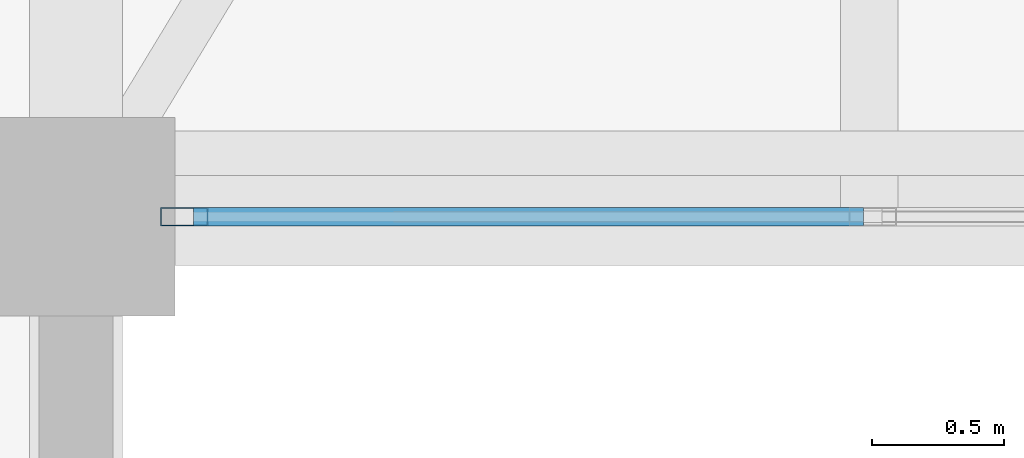
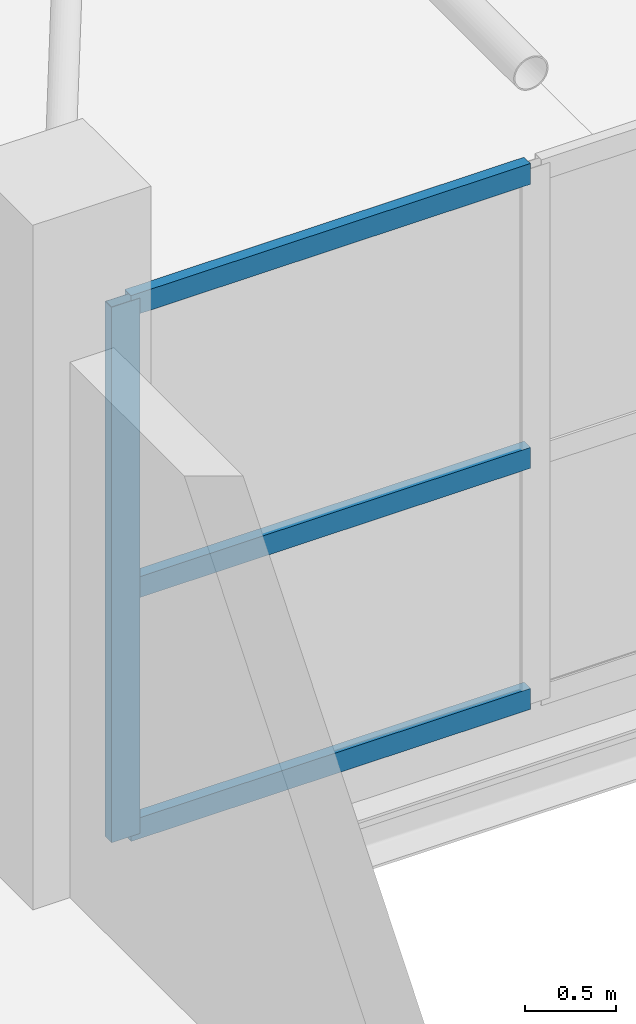
# One storey, part 10 of 69: 4 members, 1 element without a shape of its own.
"""IFC4 building model written with IfcOpenShell, lengths in metres."""

import ifcopenshell
import ifcopenshell.guid

model = None  # the IFC model being written
_history = None  # IfcOwnerHistory: only IFC2X3 demands one
_inside = {}  # id of a spatial element -> (the spatial element, [elements in it])
_under = {}  # id of a project, library or spatial element -> (it, [spatial elements below it])
_declared = {}  # id of a project -> (the project, [libraries it declares])
_typed = {}  # id of a type object -> (the type object, [elements of that type])
_made_of = {}  # id of a material, layer set ... -> (it, [elements and type objects made of it])


def new_model(schema):
    """Start an empty IFC model of exactly this schema.

    Asked for "IFC4X3", IfcOpenShell would pick the latest addendum, in which some entities
    have other attributes; the version numbers below select the first issue.
    IFC2X3 requires an IfcOwnerHistory on every rooted entity: one is made here for all.
    """
    global model, _history
    if schema == "IFC4X3":
        model = ifcopenshell.file(schema_version=(4, 3, 0, 0))
    else:
        model = ifcopenshell.file(schema=schema)
    _inside.clear()
    _under.clear()
    _declared.clear()
    _typed.clear()
    _made_of.clear()
    _history = None
    if model.schema == "IFC2X3":
        org = make("IfcOrganization", Name="unknown")
        user = make(
            "IfcPersonAndOrganization",
            ThePerson=make("IfcPerson", FamilyName="unknown"),
            TheOrganization=org,
        )
        app = make(
            "IfcApplication",
            ApplicationDeveloper=org,
            Version="unknown",
            ApplicationFullName="unknown",
            ApplicationIdentifier="unknown",
        )
        _history = make(
            "IfcOwnerHistory",
            OwningUser=user,
            OwningApplication=app,
            ChangeAction="ADDED",
            CreationDate=0,
        )
    return model


def make(cls, **values):
    """One entity of the class cls with the attributes given. An attribute that is None is left unset."""
    return model.create_entity(
        cls, **{name: value for name, value in values.items() if value is not None}
    )


def rooted(cls, **values):
    """An entity with a GlobalId (a new one), such as an element, a storey or a relation."""
    return make(cls, GlobalId=ifcopenshell.guid.new(), OwnerHistory=_history, **values)


def si_unit(unit_type, name, prefix=None):
    """IfcSIUnit, for example si_unit("LENGTHUNIT", "METRE", prefix="MILLI")."""
    return make("IfcSIUnit", UnitType=unit_type, Prefix=prefix, Name=name)


def assignment(units):
    """IfcUnitAssignment: the units of a project."""
    return None if units is None else make("IfcUnitAssignment", Units=units)


def point(xyz):
    """IfcCartesianPoint."""
    return None if xyz is None else make("IfcCartesianPoint", Coordinates=xyz)


def direction(xyz):
    """IfcDirection."""
    return None if xyz is None else make("IfcDirection", DirectionRatios=xyz)


def frame(location, z_axis=None, x_axis=None):
    """IfcAxis2Placement3D, a coordinate frame: its origin and axes. An axis left out is left unset."""
    return make(
        "IfcAxis2Placement3D",
        Location=point(location),
        Axis=direction(z_axis),
        RefDirection=direction(x_axis),
    )


def frame_2d(location, x_axis=None):
    """IfcAxis2Placement2D, a coordinate frame in the plane: its origin and x axis."""
    return make(
        "IfcAxis2Placement2D", Location=point(location), RefDirection=direction(x_axis)
    )


def origin():
    """The frame at (0, 0, 0) with its axes left unset."""
    return frame((0.0, 0.0, 0.0))


def origin_2d():
    """The frame at (0, 0) in the plane with its x axis left unset."""
    return frame_2d((0.0, 0.0))


def place(relative_to, where):
    """IfcLocalPlacement: puts the frame where relative to a parent placement (None: the world)."""
    return make(
        "IfcLocalPlacement", PlacementRelTo=relative_to, RelativePlacement=where
    )


def context(
    kind, dimensions, precision=None, world=None, true_north=None, identifier=None
):
    """IfcGeometricRepresentationContext, for example the 3D "Model" context."""
    return make(
        "IfcGeometricRepresentationContext",
        ContextIdentifier=identifier,
        ContextType=kind,
        CoordinateSpaceDimension=dimensions,
        Precision=precision,
        WorldCoordinateSystem=world,
        TrueNorth=true_north,
    )


def subcontext(parent, identifier, kind, view, scale=None):
    """IfcGeometricRepresentationSubContext, for example "Body" below "Model"."""
    return make(
        "IfcGeometricRepresentationSubContext",
        ContextIdentifier=identifier,
        ContextType=kind,
        ParentContext=parent,
        TargetScale=scale,
        TargetView=view,
    )


def project(units=None, contexts=None):
    """IfcProject with its units and contexts."""
    return rooted(
        "IfcProject",
        Name="project",
        RepresentationContexts=contexts,
        UnitsInContext=assignment(units),
    )


def spatial(cls, under=None, at=None, **own):
    """A site, building, storey or space (cls), placed at a placement, below another one or the project."""
    s = rooted(cls, ObjectPlacement=at, **own)
    if under is not None:
        _under.setdefault(under.id(), (under, []))[1].append(s)
    return s


def profile(cls, at=None, kind="AREA", **sizes):
    """A parametric profile (cls). Its sizes go by their IFC names, for example OverallWidth=200.0."""
    return make(cls, ProfileType=kind, Position=at, **sizes)


def hollow_rectangle(**sizes):
    """IfcRectangleHollowProfileDef."""
    return profile("IfcRectangleHollowProfileDef", **sizes)


def extrude(swept, where, along, depth):
    """IfcExtrudedAreaSolid: the profile swept, set in the frame where, extruded along a direction by depth."""
    return make(
        "IfcExtrudedAreaSolid",
        SweptArea=swept,
        Position=where,
        ExtrudedDirection=direction(along),
        Depth=depth,
    )


def shape(context_of_items, identifier, shape_type, items):
    """IfcShapeRepresentation: the items that make up one representation, for example the "Body"."""
    return make(
        "IfcShapeRepresentation",
        ContextOfItems=context_of_items,
        RepresentationIdentifier=identifier,
        RepresentationType=shape_type,
        Items=items,
    )


def material(Name=None, Category=None):
    """IfcMaterial."""
    return make("IfcMaterial", Name=Name, Category=Category)


def layer(
    of_material, thickness, ventilated=None, Name=None, Category=None, Priority=None
):
    """IfcMaterialLayer: one layer of a wall or slab, of a material (None: an air gap)."""
    return make(
        "IfcMaterialLayer",
        Material=of_material,
        LayerThickness=thickness,
        IsVentilated=ventilated,
        Name=Name,
        Category=Category,
        Priority=Priority,
    )


def layer_set(layers, Name=None):
    """IfcMaterialLayerSet."""
    return make("IfcMaterialLayerSet", MaterialLayers=layers, LayerSetName=Name)


def material_profile(
    of_material, cross_section, Name=None, Category=None, Priority=None
):
    """IfcMaterialProfile: a cross section and its material."""
    return make(
        "IfcMaterialProfile",
        Name=Name,
        Material=of_material,
        Profile=cross_section,
        Priority=Priority,
        Category=Category,
    )


def profile_set(profiles, Name=None, composite=None):
    """IfcMaterialProfileSet."""
    return make(
        "IfcMaterialProfileSet",
        Name=Name,
        MaterialProfiles=profiles,
        CompositeProfile=composite,
    )


def made_of(thing, what):
    """Note that an element or type object is made of a material, layer set ...; save() writes the relation."""
    if what is not None:
        _made_of.setdefault(what.id(), (what, []))[1].append(thing)
    return thing


def type_object(cls, material=None, **own):
    """A type object (cls), such as IfcWallType, which elements share."""
    return made_of(rooted(cls, **own), material)


def element(
    cls,
    number,
    at=None,
    inside=None,
    cuts=None,
    type_object=None,
    material=None,
    context=None,
    identifier="Body",
    shape_type=None,
    held_by="IfcProductDefinitionShape",
    body=None,
    shapes=None,
    **own,
):
    """One element of the class cls, such as IfcWall. Its Tag is "e" and its number.

    at: its placement. inside: the storey or other place that contains it. cuts: it is an
    opening in that element (IfcRelVoidsElement). A single representation is given by context,
    identifier, shape_type and body (its items); several are given by shapes. held_by: the class
    of the entity that holds the representations. save() writes the other relations.
    """
    e = rooted(cls, Tag="e%d" % number, ObjectPlacement=at, **own)
    if body is not None:
        shapes = [shape(context, identifier, shape_type, body)]
    if shapes is not None:
        e.Representation = make(held_by, Representations=shapes)
    if inside is not None:
        _inside.setdefault(inside.id(), (inside, []))[1].append(e)
    if cuts is not None:
        rooted(
            "IfcRelVoidsElement", RelatingBuildingElement=cuts, RelatedOpeningElement=e
        )
    if type_object is not None:
        _typed.setdefault(type_object.id(), (type_object, []))[1].append(e)
    return made_of(e, material)


def aggregate(whole, parts):
    """IfcRelAggregates: a whole, such as a stair, and the parts it consists of."""
    return rooted("IfcRelAggregates", RelatingObject=whole, RelatedObjects=parts)


def save(model, path):
    """Write the relations noted so far, then the file.

    IfcRelAggregates (storeys below a building ...), IfcRelContainedInSpatialStructure (elements
    in a storey), IfcRelDefinesByType, IfcRelAssociatesMaterial and IfcRelDeclares: one each for
    every whole, place, type object, material and project.
    """
    for whole, parts in _under.values():
        aggregate(whole, parts)
    for where, things in _inside.values():
        rooted(
            "IfcRelContainedInSpatialStructure",
            RelatedElements=things,
            RelatingStructure=where,
        )
    for kind, things in _typed.values():
        rooted("IfcRelDefinesByType", RelatedObjects=things, RelatingType=kind)
    for what, things in _made_of.values():
        rooted("IfcRelAssociatesMaterial", RelatedObjects=things, RelatingMaterial=what)
    for by, libraries in _declared.values():
        rooted("IfcRelDeclares", RelatingContext=by, RelatedDefinitions=libraries)
    model.write(path)


model = new_model("IFC4")

# Units and contexts
model_context = context("Model", 3, precision=1e-05, world=origin(), true_north=direction((0.0, 1.0)))
body_context = subcontext(model_context, "Body", "Model", "MODEL_VIEW")
ifc_project = project(units=[si_unit("LENGTHUNIT", "METRE"), si_unit("AREAUNIT", "SQUARE_METRE"), si_unit("VOLUMEUNIT", "CUBIC_METRE"), si_unit("PLANEANGLEUNIT", "RADIAN"), si_unit("MASSUNIT", "GRAM", prefix="KILO")], contexts=[model_context])

# Site, building, storey
site_placement = place(None, origin())
site = spatial("IfcSite", under=ifc_project, at=site_placement, CompositionType="ELEMENT")
building_placement = place(site_placement, origin())
building = spatial("IfcBuilding", under=site, at=building_placement, Name="Sillaruma Civic Art Gallery", CompositionType="ELEMENT")
storey_placement = place(building_placement, frame((0.0, 0.0, 42.330078125)))
storey = spatial("IfcBuildingStorey", under=building, at=storey_placement, Name="L08", CompositionType="ELEMENT", Elevation=42.330078125)

# Curtain wall, members
ifc_material = material(Name="Thermally Broken Extruded Aluminium 6063-T6", Category="aluminium")
ifc_layer = layer(ifc_material, 0.179931640625, Name="Thermally Broken Extruded Aluminium 6063-T6")
ifc_layer_set = layer_set([ifc_layer], Name="Thermally Broken Extruded Aluminium 6063-T6")
curtain_wall_type = type_object("IfcCurtainWallType", Name="CW-UNI-60", PredefinedType="NOTDEFINED", material=ifc_layer_set)
curtain_wall_placement = place(storey_placement, origin())
curtain_wall = element("IfcCurtainWall", 1, at=curtain_wall_placement, inside=storey, type_object=curtain_wall_type, Name="Unitised Curtain Wall CW-60 (CW-BRG-S-L08-S)", PredefinedType="NOTDEFINED")
ifc_material_profile_1 = material_profile(ifc_material, hollow_rectangle(XDim=0.070068359375, YDim=0.179931640625, WallThickness=0.00390625, at=origin_2d()), Name="CWM70x180")
ifc_profile_set_1 = profile_set([ifc_material_profile_1], Name="Thermally Broken Extruded Aluminium 6063-T6")
member_type_1 = type_object("IfcMemberType", Name="MEM-MUL-CWM70x180", PredefinedType="MULLION", material=ifc_profile_set_1)
member_1_placement = place(storey_placement, frame((92.409912109375, 39.60009765625, 0.0), z_axis=(0.0, 0.0, 1.0), x_axis=(0.0, 1.0, 0.0)))
member_1 = element("IfcMember", 2, at=member_1_placement, type_object=member_type_1, Name="CW-60 mullion 1", PredefinedType="MULLION", context=body_context, shape_type="SweptSolid", body=[
    extrude(hollow_rectangle(XDim=0.070068359375, YDim=0.179931640625, WallThickness=0.00390625, at=origin_2d()), origin(), (0.0, 0.0, 1.0), 3.58984375),
])
ifc_material_profile_2 = material_profile(ifc_material, hollow_rectangle(XDim=0.070068359375, YDim=0.139892578125, WallThickness=0.00390625, at=origin_2d()), Name="CWT70x140")
ifc_profile_set_2 = profile_set([ifc_material_profile_2], Name="Thermally Broken Extruded Aluminium 6063-T6")
member_type_2 = type_object("IfcMemberType", Name="MEM-TRN-CWT70x140", PredefinedType="USERDEFINED", material=ifc_profile_set_2)
member_2_placement = place(storey_placement, frame((92.445068359375, 39.60009765625, 0.034912109375), z_axis=(1.0, 0.0, 0.0), x_axis=(0.0, 1.0, 0.0)))
member_2 = element("IfcMember", 3, at=member_2_placement, type_object=member_type_2, Name="CW-60 transom 1.1", ObjectType="TRANSOM", PredefinedType="USERDEFINED", context=body_context, shape_type="SweptSolid", body=[
    extrude(hollow_rectangle(XDim=0.070068359375, YDim=0.139892578125, WallThickness=0.00390625, at=origin_2d()), origin(), (0.0, 0.0, 1.0), 2.532470703125),
])
member_3_placement = place(storey_placement, frame((92.445068359375, 39.60009765625, 1.6513671875), z_axis=(1.0, 0.0, 0.0), x_axis=(0.0, 1.0, 0.0)))
member_3 = element("IfcMember", 4, at=member_3_placement, type_object=member_type_2, Name="CW-60 transom 1.2", ObjectType="TRANSOM", PredefinedType="USERDEFINED", context=body_context, shape_type="SweptSolid", body=[
    extrude(hollow_rectangle(XDim=0.070068359375, YDim=0.139892578125, WallThickness=0.00390625, at=origin_2d()), origin(), (0.0, 0.0, 1.0), 2.532470703125),
])
member_4_placement = place(storey_placement, frame((92.445068359375, 39.60009765625, 3.554931640625), z_axis=(1.0, 0.0, 0.0), x_axis=(0.0, 1.0, 0.0)))
member_4 = element("IfcMember", 5, at=member_4_placement, type_object=member_type_2, Name="CW-60 transom 1.3", ObjectType="TRANSOM", PredefinedType="USERDEFINED", context=body_context, shape_type="SweptSolid", body=[
    extrude(hollow_rectangle(XDim=0.070068359375, YDim=0.139892578125, WallThickness=0.00390625, at=origin_2d()), origin(), (0.0, 0.0, 1.0), 2.532470703125),
])
aggregate(curtain_wall, [member_1, member_2, member_3, member_4])

save(model, "model.ifc")
